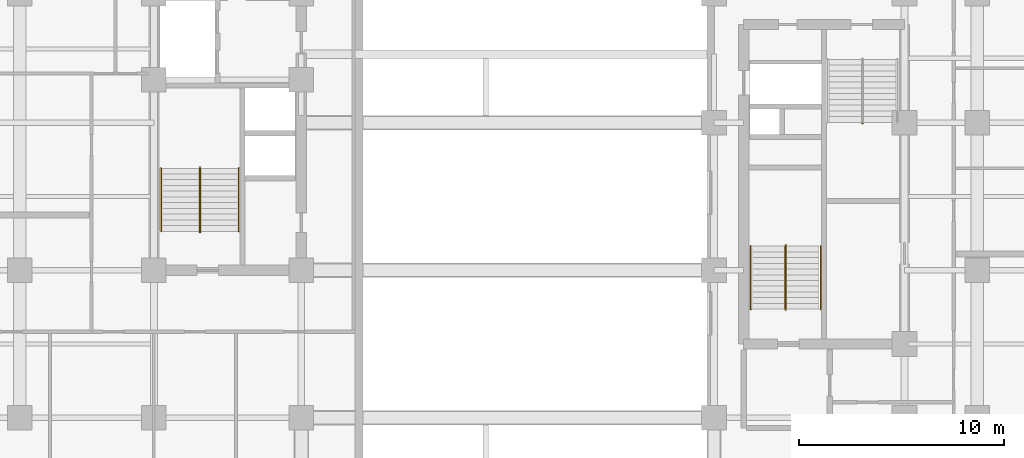
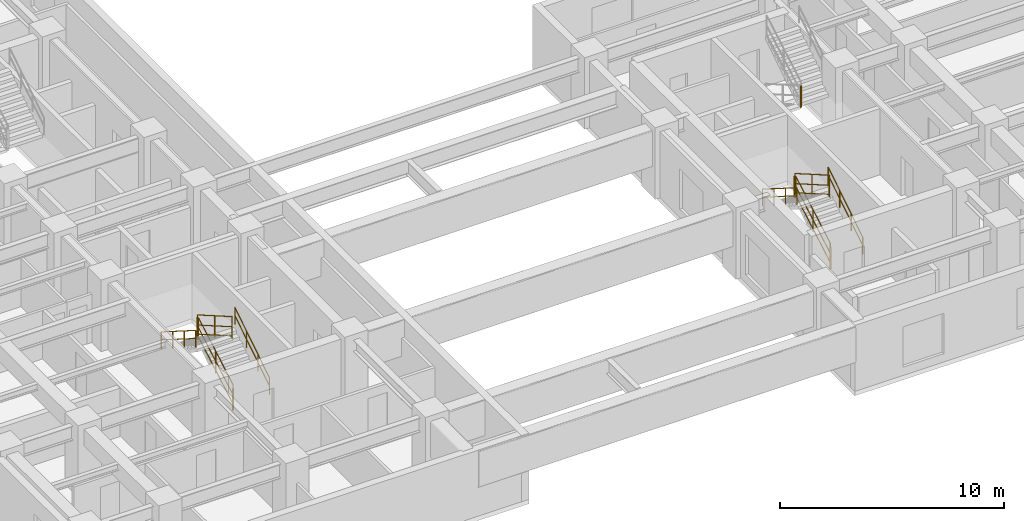
# One storey, part 7 of 9: 13 railings.
"""IFC4 building model written with IfcOpenShell, lengths in metres."""

import ifcopenshell
import ifcopenshell.guid

model = None  # the IFC model being written
_history = None  # IfcOwnerHistory: only IFC2X3 demands one
_inside = {}  # id of a spatial element -> (the spatial element, [elements in it])
_under = {}  # id of a project, library or spatial element -> (it, [spatial elements below it])
_declared = {}  # id of a project -> (the project, [libraries it declares])
_typed = {}  # id of a type object -> (the type object, [elements of that type])
_made_of = {}  # id of a material, layer set ... -> (it, [elements and type objects made of it])


def new_model(schema):
    """Start an empty IFC model of exactly this schema.

    Asked for "IFC4X3", IfcOpenShell would pick the latest addendum, in which some entities
    have other attributes; the version numbers below select the first issue.
    IFC2X3 requires an IfcOwnerHistory on every rooted entity: one is made here for all.
    """
    global model, _history
    if schema == "IFC4X3":
        model = ifcopenshell.file(schema_version=(4, 3, 0, 0))
    else:
        model = ifcopenshell.file(schema=schema)
    _inside.clear()
    _under.clear()
    _declared.clear()
    _typed.clear()
    _made_of.clear()
    _history = None
    if model.schema == "IFC2X3":
        org = make("IfcOrganization", Name="unknown")
        user = make(
            "IfcPersonAndOrganization",
            ThePerson=make("IfcPerson", FamilyName="unknown"),
            TheOrganization=org,
        )
        app = make(
            "IfcApplication",
            ApplicationDeveloper=org,
            Version="unknown",
            ApplicationFullName="unknown",
            ApplicationIdentifier="unknown",
        )
        _history = make(
            "IfcOwnerHistory",
            OwningUser=user,
            OwningApplication=app,
            ChangeAction="ADDED",
            CreationDate=0,
        )
    return model


def make(cls, **values):
    """One entity of the class cls with the attributes given. An attribute that is None is left unset."""
    return model.create_entity(
        cls, **{name: value for name, value in values.items() if value is not None}
    )


def entity(cls, *values):
    """Any entity or typed value of the class cls, its attributes in the order of the schema. None: left unset."""
    e = model.create_entity(cls)
    for i, value in enumerate(values):
        if value is not None:
            e[i] = value
    return e


def rooted(cls, **values):
    """An entity with a GlobalId (a new one), such as an element, a storey or a relation."""
    return make(cls, GlobalId=ifcopenshell.guid.new(), OwnerHistory=_history, **values)


def si_unit(unit_type, name, prefix=None):
    """IfcSIUnit, for example si_unit("LENGTHUNIT", "METRE", prefix="MILLI")."""
    return make("IfcSIUnit", UnitType=unit_type, Prefix=prefix, Name=name)


def converted_unit(unit_type, name, factor, base, dimensions=None, offset=None):
    """IfcConversionBasedUnit, such as the inch: factor (a typed value) times the base unit."""
    return make(
        "IfcConversionBasedUnit"
        if offset is None
        else "IfcConversionBasedUnitWithOffset",
        ConversionOffset=offset,
        Dimensions=None
        if dimensions is None
        else entity("IfcDimensionalExponents", *dimensions),
        UnitType=unit_type,
        Name=name,
        ConversionFactor=make(
            "IfcMeasureWithUnit", ValueComponent=factor, UnitComponent=base
        ),
    )


def assignment(units):
    """IfcUnitAssignment: the units of a project."""
    return None if units is None else make("IfcUnitAssignment", Units=units)


def point(xyz):
    """IfcCartesianPoint."""
    return None if xyz is None else make("IfcCartesianPoint", Coordinates=xyz)


def direction(xyz):
    """IfcDirection."""
    return None if xyz is None else make("IfcDirection", DirectionRatios=xyz)


def frame(location, z_axis=None, x_axis=None):
    """IfcAxis2Placement3D, a coordinate frame: its origin and axes. An axis left out is left unset."""
    return make(
        "IfcAxis2Placement3D",
        Location=point(location),
        Axis=direction(z_axis),
        RefDirection=direction(x_axis),
    )


def frame_2d(location, x_axis=None):
    """IfcAxis2Placement2D, a coordinate frame in the plane: its origin and x axis."""
    return make(
        "IfcAxis2Placement2D", Location=point(location), RefDirection=direction(x_axis)
    )


def origin_with_axes():
    """The frame at (0, 0, 0) with the z axis (0, 0, 1) and the x axis (1, 0, 0) written out."""
    return frame((0.0, 0.0, 0.0), z_axis=(0.0, 0.0, 1.0), x_axis=(1.0, 0.0, 0.0))


def origin_2d_with_axis():
    """The frame at (0, 0) in the plane with the x axis (1, 0) written out."""
    return frame_2d((0.0, 0.0), x_axis=(1.0, 0.0))


def place(relative_to, where):
    """IfcLocalPlacement: puts the frame where relative to a parent placement (None: the world)."""
    return make(
        "IfcLocalPlacement", PlacementRelTo=relative_to, RelativePlacement=where
    )


def context(
    kind, dimensions, precision=None, world=None, true_north=None, identifier=None
):
    """IfcGeometricRepresentationContext, for example the 3D "Model" context."""
    return make(
        "IfcGeometricRepresentationContext",
        ContextIdentifier=identifier,
        ContextType=kind,
        CoordinateSpaceDimension=dimensions,
        Precision=precision,
        WorldCoordinateSystem=world,
        TrueNorth=true_north,
    )


def subcontext(parent, identifier, kind, view, scale=None):
    """IfcGeometricRepresentationSubContext, for example "Body" below "Model"."""
    return make(
        "IfcGeometricRepresentationSubContext",
        ContextIdentifier=identifier,
        ContextType=kind,
        ParentContext=parent,
        TargetScale=scale,
        TargetView=view,
    )


def project(units=None, contexts=None):
    """IfcProject with its units and contexts."""
    return rooted(
        "IfcProject",
        Name="project",
        RepresentationContexts=contexts,
        UnitsInContext=assignment(units),
    )


def spatial(cls, under=None, at=None, **own):
    """A site, building, storey or space (cls), placed at a placement, below another one or the project."""
    s = rooted(cls, ObjectPlacement=at, **own)
    if under is not None:
        _under.setdefault(under.id(), (under, []))[1].append(s)
    return s


def profile(cls, at=None, kind="AREA", **sizes):
    """A parametric profile (cls). Its sizes go by their IFC names, for example OverallWidth=200.0."""
    return make(cls, ProfileType=kind, Position=at, **sizes)


def rectangle(**sizes):
    """IfcRectangleProfileDef."""
    return profile("IfcRectangleProfileDef", **sizes)


def circle(**sizes):
    """IfcCircleProfileDef."""
    return profile("IfcCircleProfileDef", **sizes)


def extrude(swept, where, along, depth):
    """IfcExtrudedAreaSolid: the profile swept, set in the frame where, extruded along a direction by depth."""
    return make(
        "IfcExtrudedAreaSolid",
        SweptArea=swept,
        Position=where,
        ExtrudedDirection=direction(along),
        Depth=depth,
    )


def shape(context_of_items, identifier, shape_type, items):
    """IfcShapeRepresentation: the items that make up one representation, for example the "Body"."""
    return make(
        "IfcShapeRepresentation",
        ContextOfItems=context_of_items,
        RepresentationIdentifier=identifier,
        RepresentationType=shape_type,
        Items=items,
    )


def material(Name=None, Category=None):
    """IfcMaterial."""
    return make("IfcMaterial", Name=Name, Category=Category)


def made_of(thing, what):
    """Note that an element or type object is made of a material, layer set ...; save() writes the relation."""
    if what is not None:
        _made_of.setdefault(what.id(), (what, []))[1].append(thing)
    return thing


def type_object(cls, material=None, **own):
    """A type object (cls), such as IfcWallType, which elements share."""
    return made_of(rooted(cls, **own), material)


def element(
    cls,
    number,
    at=None,
    inside=None,
    cuts=None,
    type_object=None,
    material=None,
    context=None,
    identifier="Body",
    shape_type=None,
    held_by="IfcProductDefinitionShape",
    body=None,
    shapes=None,
    **own,
):
    """One element of the class cls, such as IfcWall. Its Tag is "e" and its number.

    at: its placement. inside: the storey or other place that contains it. cuts: it is an
    opening in that element (IfcRelVoidsElement). A single representation is given by context,
    identifier, shape_type and body (its items); several are given by shapes. held_by: the class
    of the entity that holds the representations. save() writes the other relations.
    """
    e = rooted(cls, Tag="e%d" % number, ObjectPlacement=at, **own)
    if body is not None:
        shapes = [shape(context, identifier, shape_type, body)]
    if shapes is not None:
        e.Representation = make(held_by, Representations=shapes)
    if inside is not None:
        _inside.setdefault(inside.id(), (inside, []))[1].append(e)
    if cuts is not None:
        rooted(
            "IfcRelVoidsElement", RelatingBuildingElement=cuts, RelatedOpeningElement=e
        )
    if type_object is not None:
        _typed.setdefault(type_object.id(), (type_object, []))[1].append(e)
    return made_of(e, material)


def aggregate(whole, parts):
    """IfcRelAggregates: a whole, such as a stair, and the parts it consists of."""
    return rooted("IfcRelAggregates", RelatingObject=whole, RelatedObjects=parts)


def save(model, path):
    """Write the relations noted so far, then the file.

    IfcRelAggregates (storeys below a building ...), IfcRelContainedInSpatialStructure (elements
    in a storey), IfcRelDefinesByType, IfcRelAssociatesMaterial and IfcRelDeclares: one each for
    every whole, place, type object, material and project.
    """
    for whole, parts in _under.values():
        aggregate(whole, parts)
    for where, things in _inside.values():
        rooted(
            "IfcRelContainedInSpatialStructure",
            RelatedElements=things,
            RelatingStructure=where,
        )
    for kind, things in _typed.values():
        rooted("IfcRelDefinesByType", RelatedObjects=things, RelatingType=kind)
    for what, things in _made_of.values():
        rooted("IfcRelAssociatesMaterial", RelatedObjects=things, RelatingMaterial=what)
    for by, libraries in _declared.values():
        rooted("IfcRelDeclares", RelatingContext=by, RelatedDefinitions=libraries)
    model.write(path)


model = new_model("IFC4")

# Units and contexts
model_context = context("Model", 3, precision=1e-05, world=origin_with_axes(), true_north=direction((0.0, 1.0)))
body_context = subcontext(model_context, "Body", "Model", "MODEL_VIEW")
ifc_project = project(units=[si_unit("LENGTHUNIT", "METRE"), si_unit("AREAUNIT", "SQUARE_METRE"), si_unit("VOLUMEUNIT", "CUBIC_METRE"), converted_unit("PLANEANGLEUNIT", "DEGREE", entity("IfcPlaneAngleMeasure", 0.017453292519943295), si_unit("PLANEANGLEUNIT", "RADIAN"), dimensions=[0, 0, 0, 0, 0, 0, 0]), si_unit("MASSUNIT", "GRAM", prefix="KILO"), si_unit("THERMODYNAMICTEMPERATUREUNIT", "KELVIN")], contexts=[model_context])

# Site, building, storey
site_placement = place(None, origin_with_axes())
site = spatial("IfcSite", under=ifc_project, at=site_placement, CompositionType="ELEMENT")
building_placement = place(site_placement, origin_with_axes())
building = spatial("IfcBuilding", under=site, at=building_placement, Name="Varnlund Millrace Tower", CompositionType="ELEMENT")
storey_placement = place(building_placement, frame((0.0, 0.0, 120.3), z_axis=(0.0, 0.0, 1.0), x_axis=(1.0, 0.0, 0.0)))
storey = spatial("IfcBuildingStorey", under=building, at=storey_placement, Name="L29", CompositionType="ELEMENT", Elevation=120.3)

# Railings
ifc_material_1 = material(Name="Painted steel stair well balustrade guard", Category="steel")
railing_type_1 = type_object("IfcRailingType", Name="Type-StairGuard-1150", PredefinedType="GUARDRAIL", material=ifc_material_1)
railing_1_placement = place(storey_placement, frame((0.0, 0.0, -120.3), z_axis=(0.0, 0.0, 1.0), x_axis=(1.0, 0.0, 0.0)))
element("IfcRailing", 1, at=railing_1_placement, inside=storey, type_object=railing_type_1, Name="Type-StairGuard-1150", PredefinedType="GUARDRAIL", context=body_context, shape_type="SweptSolid", body=[
    extrude(circle(Radius=0.024, at=origin_2d_with_axis()), frame((13.675, 12.7, 121.627273), z_axis=(0.0, 0.866696, 0.498836), x_axis=(-1.0, 0.0, 0.0)), (0.0, 0.0, 1.0), 3.553725),
    extrude(circle(Radius=0.024, at=origin_2d_with_axis()), frame((13.675, 12.7, 120.577273), z_axis=(0.0, 0.866696, 0.498836), x_axis=(-1.0, 0.0, 0.0)), (0.0, 0.0, 1.0), 3.553725),
    extrude(circle(Radius=0.024, at=origin_2d_with_axis()), frame((13.675, 12.7, 121.075273), z_axis=(0.0, 0.866696, 0.498836), x_axis=(-1.0, 0.0, 0.0)), (0.0, 0.0, 1.0), 3.553725),
    extrude(rectangle(XDim=0.04, YDim=0.04, at=origin_2d_with_axis()), frame((13.675, 12.7, 120.437273), z_axis=(0.0, 0.0, 1.0), x_axis=(1.0, 0.0, 0.0)), (0.0, 0.0, 1.0), 1.19),
    extrude(rectangle(XDim=0.04, YDim=0.04, at=origin_2d_with_axis()), frame((13.675, 14.24, 121.323636), z_axis=(0.0, 0.0, 1.0), x_axis=(1.0, 0.0, 0.0)), (0.0, 0.0, 1.0), 1.19),
    extrude(rectangle(XDim=0.04, YDim=0.04, at=origin_2d_with_axis()), frame((13.675, 15.78, 122.21), z_axis=(0.0, 0.0, 1.0), x_axis=(1.0, 0.0, 0.0)), (0.0, 0.0, 1.0), 1.19),
])
railing_2_placement = place(storey_placement, frame((0.0, 0.0, -120.3), z_axis=(0.0, 0.0, 1.0), x_axis=(1.0, 0.0, 0.0)))
element("IfcRailing", 2, at=railing_2_placement, inside=storey, type_object=railing_type_1, Name="Type-StairGuard-1150", PredefinedType="GUARDRAIL", context=body_context, shape_type="SweptSolid", body=[
    extrude(circle(Radius=0.024, at=origin_2d_with_axis()), frame((13.625, 15.83, 123.4), z_axis=(1.0, 0.0, 0.0), x_axis=(0.0, 1.0, 0.0)), (0.0, 0.0, 1.0), 0.05),
    extrude(circle(Radius=0.024, at=origin_2d_with_axis()), frame((13.625, 15.83, 122.35), z_axis=(1.0, 0.0, 0.0), x_axis=(0.0, 1.0, 0.0)), (0.0, 0.0, 1.0), 0.05),
    extrude(circle(Radius=0.024, at=origin_2d_with_axis()), frame((13.625, 15.83, 122.848), z_axis=(1.0, 0.0, 0.0), x_axis=(0.0, 1.0, 0.0)), (0.0, 0.0, 1.0), 0.05),
    extrude(rectangle(XDim=0.04, YDim=0.04, at=origin_2d_with_axis()), frame((13.625, 15.83, 122.21), z_axis=(0.0, 0.0, 1.0), x_axis=(1.0, 0.0, 0.0)), (0.0, 0.0, 1.0), 1.19),
    extrude(rectangle(XDim=0.04, YDim=0.04, at=origin_2d_with_axis()), frame((13.675, 15.83, 122.21), z_axis=(0.0, 0.0, 1.0), x_axis=(1.0, 0.0, 0.0)), (0.0, 0.0, 1.0), 1.19),
])
railing_3_placement = place(storey_placement, frame((0.0, 0.0, -120.3), z_axis=(0.0, 0.0, 1.0), x_axis=(1.0, 0.0, 0.0)))
element("IfcRailing", 3, at=railing_3_placement, inside=storey, type_object=railing_type_1, Name="Type-StairGuard-1150", PredefinedType="GUARDRAIL", context=body_context, shape_type="SweptSolid", body=[
    extrude(circle(Radius=0.024, at=origin_2d_with_axis()), frame((13.625, 15.78, 123.577273), z_axis=(0.0, -0.866696, 0.498836), x_axis=(1.0, 0.0, 0.0)), (0.0, 0.0, 1.0), 3.553725),
    extrude(circle(Radius=0.024, at=origin_2d_with_axis()), frame((13.625, 15.78, 122.527273), z_axis=(0.0, -0.866696, 0.498836), x_axis=(1.0, 0.0, 0.0)), (0.0, 0.0, 1.0), 3.553725),
    extrude(circle(Radius=0.024, at=origin_2d_with_axis()), frame((13.625, 15.78, 123.025273), z_axis=(0.0, -0.866696, 0.498836), x_axis=(1.0, 0.0, 0.0)), (0.0, 0.0, 1.0), 3.553725),
    extrude(rectangle(XDim=0.04, YDim=0.04, at=origin_2d_with_axis()), frame((13.625, 15.78, 122.387273), z_axis=(0.0, 0.0, 1.0), x_axis=(1.0, 0.0, 0.0)), (0.0, 0.0, 1.0), 1.19),
    extrude(rectangle(XDim=0.04, YDim=0.04, at=origin_2d_with_axis()), frame((13.625, 14.24, 123.273636), z_axis=(0.0, 0.0, 1.0), x_axis=(1.0, 0.0, 0.0)), (0.0, 0.0, 1.0), 1.19),
    extrude(rectangle(XDim=0.04, YDim=0.04, at=origin_2d_with_axis()), frame((13.625, 12.7, 124.16), z_axis=(0.0, 0.0, 1.0), x_axis=(1.0, 0.0, 0.0)), (0.0, 0.0, 1.0), 1.19),
])
railing_4_placement = place(storey_placement, frame((0.0, 0.0, -120.3), z_axis=(0.0, 0.0, 1.0), x_axis=(1.0, 0.0, 0.0)))
element("IfcRailing", 4, at=railing_4_placement, inside=storey, type_object=railing_type_1, Name="Type-StairGuard-1150", PredefinedType="GUARDRAIL", context=body_context, shape_type="SweptSolid", body=[
    extrude(circle(Radius=0.024, at=origin_2d_with_axis()), frame((13.625, 12.65, 121.45), z_axis=(1.0, 0.0, 0.0), x_axis=(0.0, 1.0, 0.0)), (0.0, 0.0, 1.0), 0.05),
    extrude(circle(Radius=0.024, at=origin_2d_with_axis()), frame((13.625, 12.65, 120.4), z_axis=(1.0, 0.0, 0.0), x_axis=(0.0, 1.0, 0.0)), (0.0, 0.0, 1.0), 0.05),
    extrude(circle(Radius=0.024, at=origin_2d_with_axis()), frame((13.625, 12.65, 120.898), z_axis=(1.0, 0.0, 0.0), x_axis=(0.0, 1.0, 0.0)), (0.0, 0.0, 1.0), 0.05),
    extrude(rectangle(XDim=0.04, YDim=0.04, at=origin_2d_with_axis()), frame((13.625, 12.65, 120.26), z_axis=(0.0, 0.0, 1.0), x_axis=(1.0, 0.0, 0.0)), (0.0, 0.0, 1.0), 1.19),
    extrude(rectangle(XDim=0.04, YDim=0.04, at=origin_2d_with_axis()), frame((13.675, 12.65, 120.26), z_axis=(0.0, 0.0, 1.0), x_axis=(1.0, 0.0, 0.0)), (0.0, 0.0, 1.0), 1.19),
])
railing_5_placement = place(storey_placement, frame((0.0, 0.0, -120.3), z_axis=(0.0, 0.0, 1.0), x_axis=(1.0, 0.0, 0.0)))
element("IfcRailing", 5, at=railing_5_placement, inside=storey, type_object=railing_type_1, Name="Type-StairGuard-1150", PredefinedType="GUARDRAIL", context=body_context, shape_type="SweptSolid", body=[
    extrude(circle(Radius=0.024, at=origin_2d_with_axis()), frame((42.275, 8.9, 121.627273), z_axis=(0.0, 0.866696, 0.498836), x_axis=(-1.0, 0.0, 0.0)), (0.0, 0.0, 1.0), 3.553725),
    extrude(circle(Radius=0.024, at=origin_2d_with_axis()), frame((42.275, 8.9, 120.577273), z_axis=(0.0, 0.866696, 0.498836), x_axis=(-1.0, 0.0, 0.0)), (0.0, 0.0, 1.0), 3.553725),
    extrude(circle(Radius=0.024, at=origin_2d_with_axis()), frame((42.275, 8.9, 121.075273), z_axis=(0.0, 0.866696, 0.498836), x_axis=(-1.0, 0.0, 0.0)), (0.0, 0.0, 1.0), 3.553725),
    extrude(rectangle(XDim=0.04, YDim=0.04, at=origin_2d_with_axis()), frame((42.275, 8.9, 120.437273), z_axis=(0.0, 0.0, 1.0), x_axis=(1.0, 0.0, 0.0)), (0.0, 0.0, 1.0), 1.19),
    extrude(rectangle(XDim=0.04, YDim=0.04, at=origin_2d_with_axis()), frame((42.275, 10.44, 121.323636), z_axis=(0.0, 0.0, 1.0), x_axis=(1.0, 0.0, 0.0)), (0.0, 0.0, 1.0), 1.19),
    extrude(rectangle(XDim=0.04, YDim=0.04, at=origin_2d_with_axis()), frame((42.275, 11.98, 122.21), z_axis=(0.0, 0.0, 1.0), x_axis=(1.0, 0.0, 0.0)), (0.0, 0.0, 1.0), 1.19),
])
railing_6_placement = place(storey_placement, frame((0.0, 0.0, -120.3), z_axis=(0.0, 0.0, 1.0), x_axis=(1.0, 0.0, 0.0)))
element("IfcRailing", 6, at=railing_6_placement, inside=storey, type_object=railing_type_1, Name="Type-StairGuard-1150", PredefinedType="GUARDRAIL", context=body_context, shape_type="SweptSolid", body=[
    extrude(circle(Radius=0.024, at=origin_2d_with_axis()), frame((42.225, 12.03, 123.4), z_axis=(1.0, 0.0, 0.0), x_axis=(0.0, 1.0, 0.0)), (0.0, 0.0, 1.0), 0.05),
    extrude(circle(Radius=0.024, at=origin_2d_with_axis()), frame((42.225, 12.03, 122.35), z_axis=(1.0, 0.0, 0.0), x_axis=(0.0, 1.0, 0.0)), (0.0, 0.0, 1.0), 0.05),
    extrude(circle(Radius=0.024, at=origin_2d_with_axis()), frame((42.225, 12.03, 122.848), z_axis=(1.0, 0.0, 0.0), x_axis=(0.0, 1.0, 0.0)), (0.0, 0.0, 1.0), 0.05),
    extrude(rectangle(XDim=0.04, YDim=0.04, at=origin_2d_with_axis()), frame((42.225, 12.03, 122.21), z_axis=(0.0, 0.0, 1.0), x_axis=(1.0, 0.0, 0.0)), (0.0, 0.0, 1.0), 1.19),
    extrude(rectangle(XDim=0.04, YDim=0.04, at=origin_2d_with_axis()), frame((42.275, 12.03, 122.21), z_axis=(0.0, 0.0, 1.0), x_axis=(1.0, 0.0, 0.0)), (0.0, 0.0, 1.0), 1.19),
])
railing_7_placement = place(storey_placement, frame((0.0, 0.0, -120.3), z_axis=(0.0, 0.0, 1.0), x_axis=(1.0, 0.0, 0.0)))
element("IfcRailing", 7, at=railing_7_placement, inside=storey, type_object=railing_type_1, Name="Type-StairGuard-1150", PredefinedType="GUARDRAIL", context=body_context, shape_type="SweptSolid", body=[
    extrude(circle(Radius=0.024, at=origin_2d_with_axis()), frame((42.225, 11.98, 123.577273), z_axis=(0.0, -0.866696, 0.498836), x_axis=(1.0, 0.0, 0.0)), (0.0, 0.0, 1.0), 3.553725),
    extrude(circle(Radius=0.024, at=origin_2d_with_axis()), frame((42.225, 11.98, 122.527273), z_axis=(0.0, -0.866696, 0.498836), x_axis=(1.0, 0.0, 0.0)), (0.0, 0.0, 1.0), 3.553725),
    extrude(circle(Radius=0.024, at=origin_2d_with_axis()), frame((42.225, 11.98, 123.025273), z_axis=(0.0, -0.866696, 0.498836), x_axis=(1.0, 0.0, 0.0)), (0.0, 0.0, 1.0), 3.553725),
    extrude(rectangle(XDim=0.04, YDim=0.04, at=origin_2d_with_axis()), frame((42.225, 11.98, 122.387273), z_axis=(0.0, 0.0, 1.0), x_axis=(1.0, 0.0, 0.0)), (0.0, 0.0, 1.0), 1.19),
    extrude(rectangle(XDim=0.04, YDim=0.04, at=origin_2d_with_axis()), frame((42.225, 10.44, 123.273636), z_axis=(0.0, 0.0, 1.0), x_axis=(1.0, 0.0, 0.0)), (0.0, 0.0, 1.0), 1.19),
    extrude(rectangle(XDim=0.04, YDim=0.04, at=origin_2d_with_axis()), frame((42.225, 8.9, 124.16), z_axis=(0.0, 0.0, 1.0), x_axis=(1.0, 0.0, 0.0)), (0.0, 0.0, 1.0), 1.19),
])
railing_8_placement = place(storey_placement, frame((0.0, 0.0, -120.3), z_axis=(0.0, 0.0, 1.0), x_axis=(1.0, 0.0, 0.0)))
element("IfcRailing", 8, at=railing_8_placement, inside=storey, type_object=railing_type_1, Name="Type-StairGuard-1150", PredefinedType="GUARDRAIL", context=body_context, shape_type="SweptSolid", body=[
    extrude(circle(Radius=0.024, at=origin_2d_with_axis()), frame((42.225, 8.85, 121.45), z_axis=(1.0, 0.0, 0.0), x_axis=(0.0, 1.0, 0.0)), (0.0, 0.0, 1.0), 0.05),
    extrude(circle(Radius=0.024, at=origin_2d_with_axis()), frame((42.225, 8.85, 120.4), z_axis=(1.0, 0.0, 0.0), x_axis=(0.0, 1.0, 0.0)), (0.0, 0.0, 1.0), 0.05),
    extrude(circle(Radius=0.024, at=origin_2d_with_axis()), frame((42.225, 8.85, 120.898), z_axis=(1.0, 0.0, 0.0), x_axis=(0.0, 1.0, 0.0)), (0.0, 0.0, 1.0), 0.05),
    extrude(rectangle(XDim=0.04, YDim=0.04, at=origin_2d_with_axis()), frame((42.225, 8.85, 120.26), z_axis=(0.0, 0.0, 1.0), x_axis=(1.0, 0.0, 0.0)), (0.0, 0.0, 1.0), 1.19),
    extrude(rectangle(XDim=0.04, YDim=0.04, at=origin_2d_with_axis()), frame((42.275, 8.85, 120.26), z_axis=(0.0, 0.0, 1.0), x_axis=(1.0, 0.0, 0.0)), (0.0, 0.0, 1.0), 1.19),
])
railing_9_placement = place(storey_placement, frame((0.0, 0.0, -120.3), z_axis=(0.0, 0.0, 1.0), x_axis=(1.0, 0.0, 0.0)))
element("IfcRailing", 9, at=railing_9_placement, inside=storey, type_object=railing_type_1, Name="Type-StairGuard-1150", PredefinedType="GUARDRAIL", context=body_context, shape_type="SweptSolid", body=[
    extrude(circle(Radius=0.024, at=origin_2d_with_axis()), frame((46.025, 17.97, 123.4), z_axis=(-1.0, 0.0, 0.0), x_axis=(0.0, -1.0, 0.0)), (0.0, 0.0, 1.0), 0.05),
    extrude(circle(Radius=0.024, at=origin_2d_with_axis()), frame((46.025, 17.97, 122.35), z_axis=(-1.0, 0.0, 0.0), x_axis=(0.0, -1.0, 0.0)), (0.0, 0.0, 1.0), 0.05),
    extrude(circle(Radius=0.024, at=origin_2d_with_axis()), frame((46.025, 17.97, 122.848), z_axis=(-1.0, 0.0, 0.0), x_axis=(0.0, -1.0, 0.0)), (0.0, 0.0, 1.0), 0.05),
    extrude(rectangle(XDim=0.04, YDim=0.04, at=origin_2d_with_axis()), frame((46.025, 17.97, 122.21), z_axis=(0.0, 0.0, 1.0), x_axis=(1.0, 0.0, 0.0)), (0.0, 0.0, 1.0), 1.19),
    extrude(rectangle(XDim=0.04, YDim=0.04, at=origin_2d_with_axis()), frame((45.975, 17.97, 122.21), z_axis=(0.0, 0.0, 1.0), x_axis=(1.0, 0.0, 0.0)), (0.0, 0.0, 1.0), 1.19),
])
ifc_material_2 = material(Name="Brushed architectural bronze stair handrail", Category="aluminium")
railing_type_2 = type_object("IfcRailingType", Name="Type-StairHandrail-900", PredefinedType="HANDRAIL", material=ifc_material_2)
railing_10_placement = place(storey_placement, frame((0.0, 0.0, -120.3), z_axis=(0.0, 0.0, 1.0), x_axis=(1.0, 0.0, 0.0)))
element("IfcRailing", 10, at=railing_10_placement, inside=storey, type_object=railing_type_2, Name="Type-StairHandrail-900", PredefinedType="HANDRAIL", context=body_context, shape_type="SweptSolid", body=[
    extrude(circle(Radius=0.024, at=origin_2d_with_axis()), frame((15.55, 12.7, 121.356995), z_axis=(0.0, 0.844902, 0.534922), x_axis=(-1.0, 0.0, 0.0)), (0.0, 0.0, 1.0), 3.645394),
    extrude(circle(Radius=0.024, at=origin_2d_with_axis()), frame((15.55, 12.7, 120.917134), z_axis=(0.0, 0.844902, 0.534922), x_axis=(-1.0, 0.0, 0.0)), (0.0, 0.0, 1.0), 3.645394),
    extrude(rectangle(XDim=0.04, YDim=0.04, at=origin_2d_with_axis()), frame((15.55, 12.7, 120.437273), z_axis=(0.0, 0.0, 1.0), x_axis=(1.0, 0.0, 0.0)), (0.0, 0.0, 1.0), 0.919722),
    extrude(rectangle(XDim=0.04, YDim=0.04, at=origin_2d_with_axis()), frame((15.55, 13.726667, 121.087273), z_axis=(0.0, 0.0, 1.0), x_axis=(1.0, 0.0, 0.0)), (0.0, 0.0, 1.0), 0.919722),
    extrude(rectangle(XDim=0.04, YDim=0.04, at=origin_2d_with_axis()), frame((15.55, 14.753333, 121.737273), z_axis=(0.0, 0.0, 1.0), x_axis=(1.0, 0.0, 0.0)), (0.0, 0.0, 1.0), 0.919722),
    extrude(rectangle(XDim=0.04, YDim=0.04, at=origin_2d_with_axis()), frame((15.55, 15.78, 122.387273), z_axis=(0.0, 0.0, 1.0), x_axis=(1.0, 0.0, 0.0)), (0.0, 0.0, 1.0), 0.919722),
])
railing_11_placement = place(storey_placement, frame((0.0, 0.0, -120.3), z_axis=(0.0, 0.0, 1.0), x_axis=(1.0, 0.0, 0.0)))
element("IfcRailing", 11, at=railing_11_placement, inside=storey, type_object=railing_type_2, Name="Type-StairHandrail-900", PredefinedType="HANDRAIL", context=body_context, shape_type="SweptSolid", body=[
    extrude(circle(Radius=0.024, at=origin_2d_with_axis()), frame((11.75, 15.78, 123.306995), z_axis=(0.0, -0.844902, 0.534922), x_axis=(1.0, 0.0, 0.0)), (0.0, 0.0, 1.0), 3.645394),
    extrude(circle(Radius=0.024, at=origin_2d_with_axis()), frame((11.75, 15.78, 122.867134), z_axis=(0.0, -0.844902, 0.534922), x_axis=(1.0, 0.0, 0.0)), (0.0, 0.0, 1.0), 3.645394),
    extrude(rectangle(XDim=0.04, YDim=0.04, at=origin_2d_with_axis()), frame((11.75, 15.78, 122.387273), z_axis=(0.0, 0.0, 1.0), x_axis=(1.0, 0.0, 0.0)), (0.0, 0.0, 1.0), 0.919722),
    extrude(rectangle(XDim=0.04, YDim=0.04, at=origin_2d_with_axis()), frame((11.75, 14.753333, 123.037273), z_axis=(0.0, 0.0, 1.0), x_axis=(1.0, 0.0, 0.0)), (0.0, 0.0, 1.0), 0.919722),
    extrude(rectangle(XDim=0.04, YDim=0.04, at=origin_2d_with_axis()), frame((11.75, 13.726667, 123.687273), z_axis=(0.0, 0.0, 1.0), x_axis=(1.0, 0.0, 0.0)), (0.0, 0.0, 1.0), 0.919722),
    extrude(rectangle(XDim=0.04, YDim=0.04, at=origin_2d_with_axis()), frame((11.75, 12.7, 124.337273), z_axis=(0.0, 0.0, 1.0), x_axis=(1.0, 0.0, 0.0)), (0.0, 0.0, 1.0), 0.919722),
])
railing_12_placement = place(storey_placement, frame((0.0, 0.0, -120.3), z_axis=(0.0, 0.0, 1.0), x_axis=(1.0, 0.0, 0.0)))
element("IfcRailing", 12, at=railing_12_placement, inside=storey, type_object=railing_type_2, Name="Type-StairHandrail-900", PredefinedType="HANDRAIL", context=body_context, shape_type="SweptSolid", body=[
    extrude(circle(Radius=0.024, at=origin_2d_with_axis()), frame((43.95, 8.9, 121.356995), z_axis=(0.0, 0.844902, 0.534922), x_axis=(-1.0, 0.0, 0.0)), (0.0, 0.0, 1.0), 3.645394),
    extrude(circle(Radius=0.024, at=origin_2d_with_axis()), frame((43.95, 8.9, 120.917134), z_axis=(0.0, 0.844902, 0.534922), x_axis=(-1.0, 0.0, 0.0)), (0.0, 0.0, 1.0), 3.645394),
    extrude(rectangle(XDim=0.04, YDim=0.04, at=origin_2d_with_axis()), frame((43.95, 8.9, 120.437273), z_axis=(0.0, 0.0, 1.0), x_axis=(1.0, 0.0, 0.0)), (0.0, 0.0, 1.0), 0.919722),
    extrude(rectangle(XDim=0.04, YDim=0.04, at=origin_2d_with_axis()), frame((43.95, 9.926667, 121.087273), z_axis=(0.0, 0.0, 1.0), x_axis=(1.0, 0.0, 0.0)), (0.0, 0.0, 1.0), 0.919722),
    extrude(rectangle(XDim=0.04, YDim=0.04, at=origin_2d_with_axis()), frame((43.95, 10.953333, 121.737273), z_axis=(0.0, 0.0, 1.0), x_axis=(1.0, 0.0, 0.0)), (0.0, 0.0, 1.0), 0.919722),
    extrude(rectangle(XDim=0.04, YDim=0.04, at=origin_2d_with_axis()), frame((43.95, 11.98, 122.387273), z_axis=(0.0, 0.0, 1.0), x_axis=(1.0, 0.0, 0.0)), (0.0, 0.0, 1.0), 0.919722),
])
railing_13_placement = place(storey_placement, frame((0.0, 0.0, -120.3), z_axis=(0.0, 0.0, 1.0), x_axis=(1.0, 0.0, 0.0)))
element("IfcRailing", 13, at=railing_13_placement, inside=storey, type_object=railing_type_2, Name="Type-StairHandrail-900", PredefinedType="HANDRAIL", context=body_context, shape_type="SweptSolid", body=[
    extrude(circle(Radius=0.024, at=origin_2d_with_axis()), frame((40.55, 11.98, 123.306995), z_axis=(0.0, -0.844902, 0.534922), x_axis=(1.0, 0.0, 0.0)), (0.0, 0.0, 1.0), 3.645394),
    extrude(circle(Radius=0.024, at=origin_2d_with_axis()), frame((40.55, 11.98, 122.867134), z_axis=(0.0, -0.844902, 0.534922), x_axis=(1.0, 0.0, 0.0)), (0.0, 0.0, 1.0), 3.645394),
    extrude(rectangle(XDim=0.04, YDim=0.04, at=origin_2d_with_axis()), frame((40.55, 11.98, 122.387273), z_axis=(0.0, 0.0, 1.0), x_axis=(1.0, 0.0, 0.0)), (0.0, 0.0, 1.0), 0.919722),
    extrude(rectangle(XDim=0.04, YDim=0.04, at=origin_2d_with_axis()), frame((40.55, 10.953333, 123.037273), z_axis=(0.0, 0.0, 1.0), x_axis=(1.0, 0.0, 0.0)), (0.0, 0.0, 1.0), 0.919722),
    extrude(rectangle(XDim=0.04, YDim=0.04, at=origin_2d_with_axis()), frame((40.55, 9.926667, 123.687273), z_axis=(0.0, 0.0, 1.0), x_axis=(1.0, 0.0, 0.0)), (0.0, 0.0, 1.0), 0.919722),
    extrude(rectangle(XDim=0.04, YDim=0.04, at=origin_2d_with_axis()), frame((40.55, 8.9, 124.337273), z_axis=(0.0, 0.0, 1.0), x_axis=(1.0, 0.0, 0.0)), (0.0, 0.0, 1.0), 0.919722),
])

save(model, "model.ifc")
